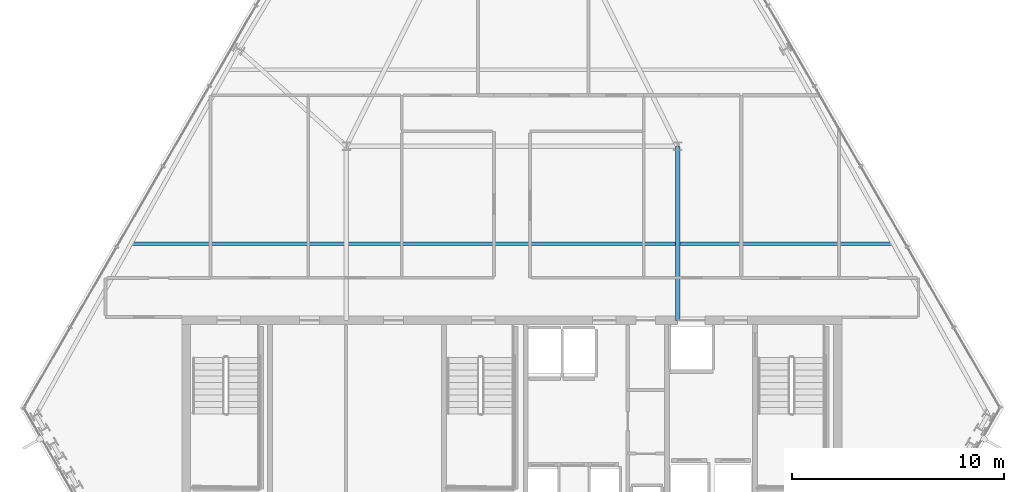
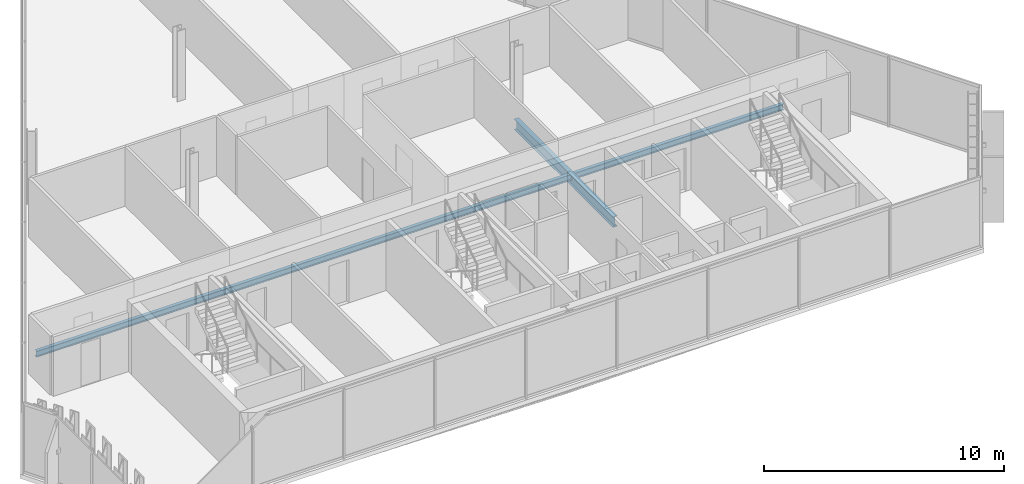
# One storey, part 9 of 29: 2 beams.
"""IFC4 building model written with IfcOpenShell, lengths in metres."""

from ifc_helpers import new_model, si_unit, direction, frame, origin, origin_2d, place, context, subcontext, project, spatial, i_section, extrude, material, material_profile, profile_set, type_object, element, save


model = new_model("IFC4")

# Units and contexts
model_context = context("Model", 3, precision=1e-05, world=origin(), true_north=direction((0.0, 1.0)))
body_context = subcontext(model_context, "Body", "Model", "MODEL_VIEW")
ifc_project = project(units=[si_unit("LENGTHUNIT", "METRE"), si_unit("AREAUNIT", "SQUARE_METRE"), si_unit("VOLUMEUNIT", "CUBIC_METRE"), si_unit("PLANEANGLEUNIT", "RADIAN"), si_unit("MASSUNIT", "GRAM", prefix="KILO")], contexts=[model_context])

# Site, building, storey
site_placement = place(None, origin())
site = spatial("IfcSite", under=ifc_project, at=site_placement, CompositionType="ELEMENT")
building_placement = place(site_placement, origin())
building = spatial("IfcBuilding", under=site, at=building_placement, Name="Ndaravel Arena Tower", CompositionType="ELEMENT")
storey_placement = place(building_placement, frame((0.0, 0.0, 244.60009765625)))
storey = spatial("IfcBuildingStorey", under=building, at=storey_placement, Name="L59", CompositionType="ELEMENT", Elevation=244.60009765625)

# Beams
ifc_material_1 = material(Name="Steel S355", Category="steel")
ifc_material_profile_1 = material_profile(ifc_material_1, i_section(OverallWidth=0.210693359375, OverallDepth=0.53955078125, WebThickness=0.01171875, FlangeThickness=0.018798828125, FilletRadius=0.0126953125, at=origin_2d()), Name="UB 533x210x109")
ifc_profile_set_1 = profile_set([ifc_material_profile_1], Name="Steel S355")
beam_type_1 = type_object("IfcBeamType", Name="BM-GIRD-UB533", PredefinedType="BEAM", material=ifc_profile_set_1)
beam_1_placement = place(storey_placement, frame((49.800048828125, 14.97998046875, -0.48974609375), z_axis=(0.0, 1.0, 0.0), x_axis=(-1.0, 0.0, 0.0)))
element("IfcBeam", 1, at=beam_1_placement, inside=storey, type_object=beam_type_1, Name="L59 Spine Link Girder SLG-02", PredefinedType="BEAM", context=body_context, shape_type="SweptSolid", body=[
    extrude(i_section(OverallWidth=0.210693359375, OverallDepth=0.53955078125, WebThickness=0.01171875, FlangeThickness=0.018798828125, FilletRadius=0.0126953125, at=origin_2d()), origin(), (0.0, 0.0, 1.0), 8.219970703125),
])
ifc_material_2 = material(Name="Steel S355", Category="steel")
ifc_material_profile_2 = material_profile(ifc_material_2, i_section(OverallWidth=0.165771484375, OverallDepth=0.306640625, WebThickness=0.006591796875, FlangeThickness=0.01171875, FilletRadius=0.0087890625, at=origin_2d()), Name="UB 305x165x46")
ifc_profile_set_2 = profile_set([ifc_material_profile_2], Name="Steel S355")
beam_type_2 = type_object("IfcBeamType", Name="BM-JOIST-UB305", PredefinedType="JOIST", material=ifc_profile_set_2)
beam_2_placement = place(storey_placement, frame((24.037353515625, 18.60009765625, -0.373291015625), z_axis=(1.0, 0.0, 0.0), x_axis=(0.0, 1.0, 0.0)))
element("IfcBeam", 2, at=beam_2_placement, inside=storey, type_object=beam_type_2, Name="L59 Composite Floor Joist FJ-01", PredefinedType="JOIST", context=body_context, shape_type="SweptSolid", body=[
    extrude(i_section(OverallWidth=0.165771484375, OverallDepth=0.306640625, WebThickness=0.006591796875, FlangeThickness=0.01171875, FilletRadius=0.0087890625, at=origin_2d()), origin(), (0.0, 0.0, 1.0), 35.92529296875),
])

save(model, "model.ifc")
